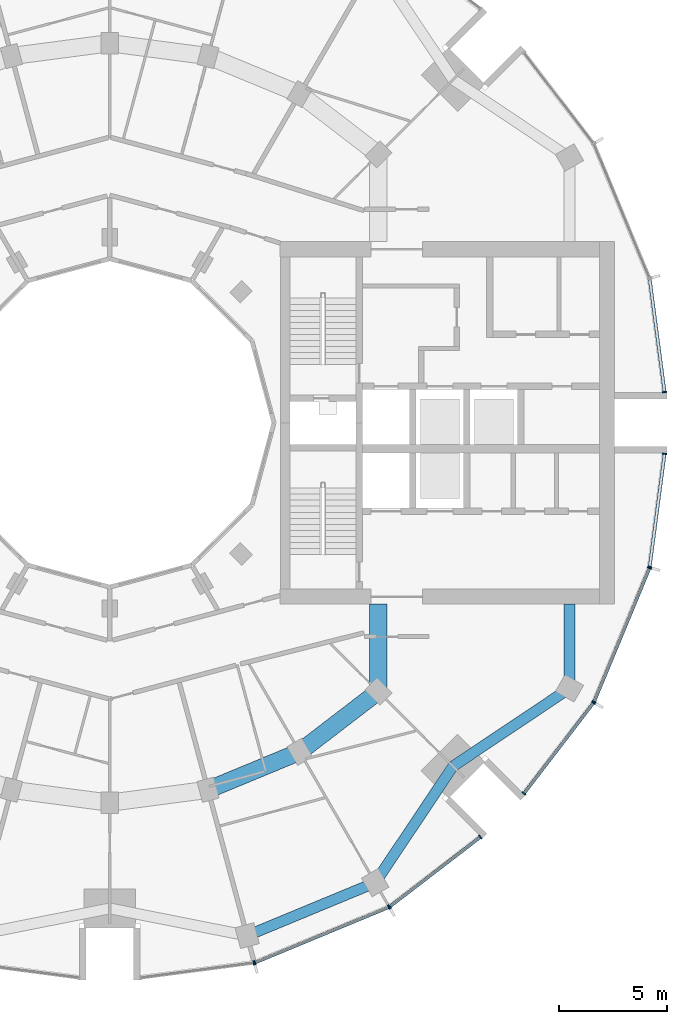
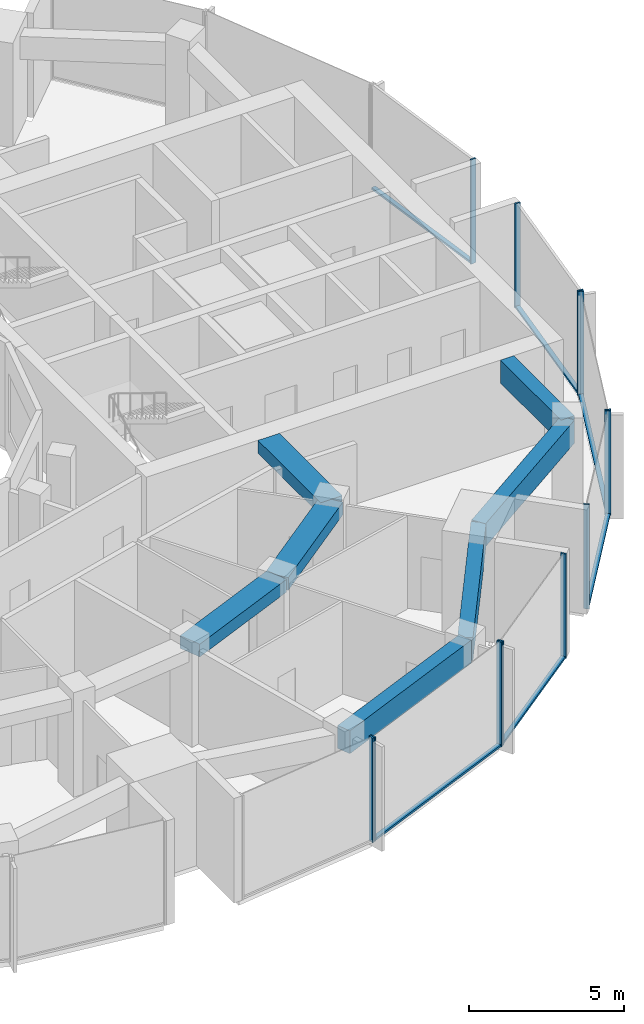
# One storey, part 4 of 15: 18 members, 7 beams, 7 elements without a shape of their own.
"""IFC4 building model written with IfcOpenShell, lengths in metres."""

from ifc_helpers import new_model, si_unit, direction, frame, origin, origin_2d, place, context, subcontext, project, spatial, rectangle, extrude, material, layer, layer_set, material_profile, profile_set, type_object, element, aggregate, save


model = new_model("IFC4")

# Units and contexts
model_context = context("Model", 3, precision=1e-05, world=origin(), true_north=direction((0.0, 1.0)))
body_context = subcontext(model_context, "Body", "Model", "MODEL_VIEW")
ifc_project = project(units=[si_unit("LENGTHUNIT", "METRE"), si_unit("AREAUNIT", "SQUARE_METRE"), si_unit("VOLUMEUNIT", "CUBIC_METRE"), si_unit("PLANEANGLEUNIT", "RADIAN"), si_unit("MASSUNIT", "GRAM", prefix="KILO")], contexts=[model_context])

# Site, building, storey
site_placement = place(None, origin())
site = spatial("IfcSite", under=ifc_project, at=site_placement, CompositionType="ELEMENT")
building_placement = place(site_placement, origin())
building = spatial("IfcBuilding", under=site, at=building_placement, Name="Torre Brocal", CompositionType="ELEMENT")
storey_placement = place(building_placement, frame((0.0, 0.0, 190.5)))
storey = spatial("IfcBuildingStorey", under=building, at=storey_placement, Name="L44", CompositionType="ELEMENT", Elevation=190.5)

# Curtain wall, member
ifc_material_1 = material(Name="Aluminium and glass", Category="aluminium")
ifc_layer_1 = layer(ifc_material_1, 0.199951171875)
ifc_layer_set_1 = layer_set([ifc_layer_1], Name="Aluminium and glass")
curtain_wall_type_1 = type_object("IfcCurtainWallType", Name="CW-1 CURTAIN WALL 4100 HIGH", PredefinedType="NOTDEFINED", material=ifc_layer_set_1)
curtain_wall_1_placement = place(storey_placement, origin())
curtain_wall_1 = element("IfcCurtainWall", 1, at=curtain_wall_1_placement, inside=storey, type_object=curtain_wall_type_1, Name="CW-1 RUN 19", PredefinedType="NOTDEFINED")
ifc_material_2 = material(Name="Aluminium, dark anodised", Category="aluminium")
ifc_material_profile_1 = material_profile(ifc_material_2, rectangle(XDim=0.199951171875, YDim=0.06005859375, at=origin_2d()), Name="CW-1 MULLION 60X200")
ifc_profile_set_1 = profile_set([ifc_material_profile_1], Name="Aluminium, dark anodised")
member_type_1 = type_object("IfcMemberType", Name="CW-1 MULLION 60X200", PredefinedType="MULLION", material=ifc_profile_set_1)
member_1_placement = place(storey_placement, frame((86.67333984375, 49.9794921875, 0.0), z_axis=(0.0, 0.0, 1.0), x_axis=(-0.13052619222, 0.991444861374, 0.0)))
member_1 = element("IfcMember", 2, at=member_1_placement, type_object=member_type_1, Name="CW1-4 mullion 2", PredefinedType="MULLION", context=body_context, shape_type="SweptSolid", body=[
    extrude(rectangle(XDim=0.199951171875, YDim=0.06005859375, at=origin_2d()), origin(), (0.0, 0.0, 1.0), 4.10009765625),
])
aggregate(curtain_wall_1, [member_1])

# Curtain wall, members
curtain_wall_2_placement = place(storey_placement, origin())
curtain_wall_2 = element("IfcCurtainWall", 3, at=curtain_wall_2_placement, inside=storey, type_object=curtain_wall_type_1, Name="CW-1 RUN 20", PredefinedType="NOTDEFINED")
member_2_placement = place(storey_placement, frame((86.73095703125, 49.994873046875, 0.0), z_axis=(0.0, 0.0, 1.0), x_axis=(-0.382683432333, 0.923879532525, 0.0)))
member_2 = element("IfcMember", 4, at=member_2_placement, type_object=member_type_1, Name="CW1-4 mullion 1", PredefinedType="MULLION", context=body_context, shape_type="SweptSolid", body=[
    extrude(rectangle(XDim=0.199951171875, YDim=0.06005859375, at=origin_2d()), origin(), (0.0, 0.0, 1.0), 4.10009765625),
])
member_3_placement = place(storey_placement, frame((92.921875, 52.559326171875, 0.0), z_axis=(0.0, 0.0, 1.0), x_axis=(-0.382683432333, 0.923879532525, 0.0)))
member_3 = element("IfcMember", 5, at=member_3_placement, type_object=member_type_1, Name="CW1-4 mullion 2", PredefinedType="MULLION", context=body_context, shape_type="SweptSolid", body=[
    extrude(rectangle(XDim=0.199951171875, YDim=0.06005859375, at=origin_2d()), origin(), (0.0, 0.0, 1.0), 4.10009765625),
])

curtain_wall_3_placement = place(storey_placement, origin())
curtain_wall_3 = element("IfcCurtainWall", 6, at=curtain_wall_3_placement, inside=storey, type_object=curtain_wall_type_1, Name="CW-1 RUN 21", PredefinedType="NOTDEFINED")
member_4_placement = place(storey_placement, frame((92.973388671875, 52.5888671875, 0.0), z_axis=(0.0, 0.0, 1.0), x_axis=(-0.60876142905, 0.793353340259, 0.0)))
member_4 = element("IfcMember", 7, at=member_4_placement, type_object=member_type_1, Name="CW1-4 mullion 1", PredefinedType="MULLION", context=body_context, shape_type="SweptSolid", body=[
    extrude(rectangle(XDim=0.199951171875, YDim=0.06005859375, at=origin_2d()), origin(), (0.0, 0.0, 1.0), 4.10009765625),
])
member_5_placement = place(storey_placement, frame((97.16943359375, 55.80859375, 0.0), z_axis=(0.0, 0.0, 1.0), x_axis=(-0.60876142905, 0.793353340259, 0.0)))
member_5 = element("IfcMember", 8, at=member_5_placement, type_object=member_type_1, Name="CW1-4 mullion 2", PredefinedType="MULLION", context=body_context, shape_type="SweptSolid", body=[
    extrude(rectangle(XDim=0.199951171875, YDim=0.06005859375, at=origin_2d()), origin(), (0.0, 0.0, 1.0), 4.10009765625),
])

curtain_wall_4_placement = place(storey_placement, origin())
curtain_wall_4 = element("IfcCurtainWall", 9, at=curtain_wall_4_placement, inside=storey, type_object=curtain_wall_type_1, Name="CW-1 RUN 22", PredefinedType="NOTDEFINED")
member_6_placement = place(storey_placement, frame((99.19140625, 57.83056640625, 0.0), z_axis=(0.0, 0.0, 1.0), x_axis=(-0.793353340259, 0.60876142905, 0.0)))
member_6 = element("IfcMember", 10, at=member_6_placement, type_object=member_type_1, Name="CW1-4 mullion 1", PredefinedType="MULLION", context=body_context, shape_type="SweptSolid", body=[
    extrude(rectangle(XDim=0.199951171875, YDim=0.06005859375, at=origin_2d()), origin(), (0.0, 0.0, 1.0), 4.10009765625),
])
member_7_placement = place(storey_placement, frame((102.4111328125, 62.026611328125, 0.0), z_axis=(0.0, 0.0, 1.0), x_axis=(-0.793353340259, 0.60876142905, 0.0)))
member_7 = element("IfcMember", 11, at=member_7_placement, type_object=member_type_1, Name="CW1-4 mullion 2", PredefinedType="MULLION", context=body_context, shape_type="SweptSolid", body=[
    extrude(rectangle(XDim=0.199951171875, YDim=0.06005859375, at=origin_2d()), origin(), (0.0, 0.0, 1.0), 4.10009765625),
])

curtain_wall_5_placement = place(storey_placement, origin())
curtain_wall_5 = element("IfcCurtainWall", 12, at=curtain_wall_5_placement, inside=storey, type_object=curtain_wall_type_1, Name="CW-1 RUN 23", PredefinedType="NOTDEFINED")
member_8_placement = place(storey_placement, frame((102.440673828125, 62.078125, 0.0), z_axis=(0.0, 0.0, 1.0), x_axis=(-0.923879532525, 0.382683432333, 0.0)))
member_8 = element("IfcMember", 13, at=member_8_placement, type_object=member_type_1, Name="CW1-4 mullion 1", PredefinedType="MULLION", context=body_context, shape_type="SweptSolid", body=[
    extrude(rectangle(XDim=0.199951171875, YDim=0.06005859375, at=origin_2d()), origin(), (0.0, 0.0, 1.0), 4.10009765625),
])
member_9_placement = place(storey_placement, frame((105.005126953125, 68.26904296875, 0.0), z_axis=(0.0, 0.0, 1.0), x_axis=(-0.923879532525, 0.382683432333, 0.0)))
member_9 = element("IfcMember", 14, at=member_9_placement, type_object=member_type_1, Name="CW1-4 mullion 2", PredefinedType="MULLION", context=body_context, shape_type="SweptSolid", body=[
    extrude(rectangle(XDim=0.199951171875, YDim=0.06005859375, at=origin_2d()), origin(), (0.0, 0.0, 1.0), 4.10009765625),
])

# Member
ifc_material_3 = material(Name="Aluminium, dark anodised", Category="aluminium")
ifc_material_profile_2 = material_profile(ifc_material_3, rectangle(XDim=0.159912109375, YDim=0.080078125, at=origin_2d()), Name="CW-1 TRANSOM 160X80")
ifc_profile_set_2 = profile_set([ifc_material_profile_2], Name="Aluminium, dark anodised")
member_type_2 = type_object("IfcMemberType", Name="CW-1 TRANSOM 160X80", PredefinedType="USERDEFINED", material=ifc_profile_set_2)
member_10_placement = place(storey_placement, frame((86.758544921875, 50.00634765625, 0.0400390625), z_axis=(0.923887344364, 0.38266457234, 0.0), x_axis=(-0.38266457234, 0.923887344364, 0.0)))
member_10 = element("IfcMember", 15, at=member_10_placement, type_object=member_type_2, Name="CW1-4 transom 1.1", ObjectType="TRANSOM", PredefinedType="USERDEFINED", context=body_context, shape_type="SweptSolid", body=[
    extrude(rectangle(XDim=0.159912109375, YDim=0.080078125, at=origin_2d()), origin(), (0.0, 0.0, 1.0), 6.640869140625),
])

aggregate(curtain_wall_2, [member_2, member_3, member_10])

member_11_placement = place(storey_placement, frame((92.9970703125, 52.607177734375, 0.0400390625), z_axis=(0.79336281513, 0.60874908096, 0.0), x_axis=(-0.60874908096, 0.79336281513, 0.0)))
member_11 = element("IfcMember", 16, at=member_11_placement, type_object=member_type_2, Name="CW1-4 transom 1.1", ObjectType="TRANSOM", PredefinedType="USERDEFINED", context=body_context, shape_type="SweptSolid", body=[
    extrude(rectangle(XDim=0.159912109375, YDim=0.080078125, at=origin_2d()), origin(), (0.0, 0.0, 1.0), 5.22900390625),
])

aggregate(curtain_wall_3, [member_4, member_5, member_11])

member_12_placement = place(storey_placement, frame((99.209716796875, 57.8544921875, 0.0400390625), z_axis=(0.60874908096, 0.79336281513, 0.0), x_axis=(-0.79336281513, 0.60874908096, 0.0)))
member_12 = element("IfcMember", 17, at=member_12_placement, type_object=member_type_2, Name="CW1-4 transom 1.1", ObjectType="TRANSOM", PredefinedType="USERDEFINED", context=body_context, shape_type="SweptSolid", body=[
    extrude(rectangle(XDim=0.159912109375, YDim=0.080078125, at=origin_2d()), origin(), (0.0, 0.0, 1.0), 5.22900390625),
])

aggregate(curtain_wall_4, [member_6, member_7, member_12])

member_13_placement = place(storey_placement, frame((102.452392578125, 62.10595703125, 0.0400390625), z_axis=(0.38266457234, 0.923887344364, 0.0), x_axis=(-0.923887344364, 0.38266457234, 0.0)))
member_13 = element("IfcMember", 18, at=member_13_placement, type_object=member_type_2, Name="CW1-4 transom 1.1", ObjectType="TRANSOM", PredefinedType="USERDEFINED", context=body_context, shape_type="SweptSolid", body=[
    extrude(rectangle(XDim=0.159912109375, YDim=0.080078125, at=origin_2d()), origin(), (0.0, 0.0, 1.0), 6.640869140625),
])

aggregate(curtain_wall_5, [member_8, member_9, member_13])

# Curtain wall, member
ifc_material_4 = material(Name="Aluminium and glass", Category="aluminium")
ifc_layer_2 = layer(ifc_material_4, 0.199951171875)
ifc_layer_set_2 = layer_set([ifc_layer_2], Name="Aluminium and glass")
curtain_wall_type_2 = type_object("IfcCurtainWallType", Name="CW-1B CURTAIN WALL 4100 HIGH", PredefinedType="NOTDEFINED", material=ifc_layer_set_2)
curtain_wall_6_placement = place(storey_placement, origin())
curtain_wall_6 = element("IfcCurtainWall", 19, at=curtain_wall_6_placement, inside=storey, type_object=curtain_wall_type_2, Name="CW-1B RUN 1", PredefinedType="NOTDEFINED")
ifc_material_5 = material(Name="Aluminium, dark anodised", Category="aluminium")
ifc_material_profile_3 = material_profile(ifc_material_5, rectangle(XDim=0.199951171875, YDim=0.06005859375, at=origin_2d()), Name="CW-1B MULLION 60X200")
ifc_profile_set_3 = profile_set([ifc_material_profile_3], Name="Aluminium, dark anodised")
member_type_3 = type_object("IfcMemberType", Name="CW-1B MULLION 60X200", PredefinedType="MULLION", material=ifc_profile_set_3)
member_14_placement = place(storey_placement, frame((105.7109375, 76.4296875, 0.0), z_axis=(0.0, 0.0, 1.0), x_axis=(-0.991444861374, -0.13052619222, 0.0)))
member_14 = element("IfcMember", 20, at=member_14_placement, type_object=member_type_3, Name="CW1B-4 mullion 1", PredefinedType="MULLION", context=body_context, shape_type="SweptSolid", body=[
    extrude(rectangle(XDim=0.199951171875, YDim=0.06005859375, at=origin_2d()), origin(), (0.0, 0.0, 1.0), 4.10009765625),
])

# Curtain wall, members
curtain_wall_7_placement = place(storey_placement, origin())
curtain_wall_7 = element("IfcCurtainWall", 21, at=curtain_wall_7_placement, inside=storey, type_object=curtain_wall_type_2, Name="CW-1B RUN 24", PredefinedType="NOTDEFINED")
member_15_placement = place(storey_placement, frame((105.0205078125, 68.32666015625, 0.0), z_axis=(0.0, 0.0, 1.0), x_axis=(-0.991444861374, 0.13052619222, 0.0)))
member_15 = element("IfcMember", 22, at=member_15_placement, type_object=member_type_3, Name="CW1B-4 mullion 1", PredefinedType="MULLION", context=body_context, shape_type="SweptSolid", body=[
    extrude(rectangle(XDim=0.199951171875, YDim=0.06005859375, at=origin_2d()), origin(), (0.0, 0.0, 1.0), 4.10009765625),
])
member_16_placement = place(storey_placement, frame((105.7109375, 73.5703125, 0.0), z_axis=(0.0, 0.0, 1.0), x_axis=(-0.991444861374, 0.13052619222, 0.0)))
member_16 = element("IfcMember", 23, at=member_16_placement, type_object=member_type_3, Name="CW1B-4 mullion 2", PredefinedType="MULLION", context=body_context, shape_type="SweptSolid", body=[
    extrude(rectangle(XDim=0.199951171875, YDim=0.06005859375, at=origin_2d()), origin(), (0.0, 0.0, 1.0), 4.10009765625),
])

# Member
ifc_material_6 = material(Name="Aluminium, dark anodised", Category="aluminium")
ifc_material_profile_4 = material_profile(ifc_material_6, rectangle(XDim=0.159912109375, YDim=0.080078125, at=origin_2d()), Name="CW-1B TRANSOM 160X80")
ifc_profile_set_4 = profile_set([ifc_material_profile_4], Name="Aluminium, dark anodised")
member_type_4 = type_object("IfcMemberType", Name="CW-1B TRANSOM 160X80", PredefinedType="USERDEFINED", material=ifc_profile_set_4)
member_17_placement = place(storey_placement, frame((105.70703125, 76.45947265625, 0.0400390625), z_axis=(-0.130542677827, 0.991442690863, 0.0), x_axis=(-0.991442690863, -0.130542677827, 0.0)))
member_17 = element("IfcMember", 24, at=member_17_placement, type_object=member_type_4, Name="CW1B-4 transom 1.1", ObjectType="TRANSOM", PredefinedType="USERDEFINED", context=body_context, shape_type="SweptSolid", body=[
    extrude(rectangle(XDim=0.159912109375, YDim=0.080078125, at=origin_2d()), origin(), (0.0, 0.0, 1.0), 5.22900390625),
])

aggregate(curtain_wall_6, [member_14, member_17])

member_18_placement = place(storey_placement, frame((105.0244140625, 68.356201171875, 0.0400390625), z_axis=(0.130542677827, 0.991442690863, 0.0), x_axis=(-0.991442690863, 0.130542677827, 0.0)))
member_18 = element("IfcMember", 25, at=member_18_placement, type_object=member_type_4, Name="CW1B-4 transom 1.1", ObjectType="TRANSOM", PredefinedType="USERDEFINED", context=body_context, shape_type="SweptSolid", body=[
    extrude(rectangle(XDim=0.159912109375, YDim=0.080078125, at=origin_2d()), origin(), (0.0, 0.0, 1.0), 5.22900390625),
])

aggregate(curtain_wall_7, [member_15, member_16, member_18])

# Beams
ifc_material_7 = material(Name="Concrete C50", Category="concrete")
ifc_material_profile_5 = material_profile(ifc_material_7, rectangle(XDim=0.800048828125, YDim=0.5, at=origin_2d()), Name="RC 800X500")
ifc_profile_set_5 = profile_set([ifc_material_profile_5], Name="Concrete C50")
beam_type_1 = type_object("IfcBeamType", Name="RC BEAM 800X500 C50 TOP 3780", PredefinedType="BEAM", material=ifc_profile_set_5)
beam_1_placement = place(storey_placement, frame((84.55517578125, 57.999755859375, 3.530029296875), z_axis=(0.923878240166, 0.382686552348, 0.0), x_axis=(-0.382686552348, 0.923878240166, 0.0)))
element("IfcBeam", 26, at=beam_1_placement, inside=storey, type_object=beam_type_1, Name="Beam BT-32", PredefinedType="BEAM", context=body_context, shape_type="SweptSolid", body=[
    extrude(rectangle(XDim=0.800048828125, YDim=0.5, at=origin_2d()), origin(), (0.0, 0.0, 1.0), 4.5947265625),
])
beam_2_placement = place(storey_placement, frame((88.800048828125, 59.758056640625, 3.530029296875), z_axis=(0.793358265959, 0.6087550097, 0.0), x_axis=(-0.6087550097, 0.793358265959, 0.0)))
element("IfcBeam", 27, at=beam_2_placement, inside=storey, type_object=beam_type_1, Name="Beam BT-32", PredefinedType="BEAM", context=body_context, shape_type="SweptSolid", body=[
    extrude(rectangle(XDim=0.800048828125, YDim=0.5, at=origin_2d()), origin(), (0.0, 0.0, 1.0), 4.594482421875),
])
beam_3_placement = place(storey_placement, frame((92.445068359375, 62.554931640625, 3.530029296875), z_axis=(0.0, 1.0, 0.0), x_axis=(-1.0, 0.0, 0.0)))
element("IfcBeam", 28, at=beam_3_placement, inside=storey, type_object=beam_type_1, Name="Beam BT-32", PredefinedType="BEAM", context=body_context, shape_type="SweptSolid", body=[
    extrude(rectangle(XDim=0.800048828125, YDim=0.5, at=origin_2d()), origin(), (0.0, 0.0, 1.0), 4.045166015625),
])
ifc_material_8 = material(Name="Concrete C50", Category="concrete")
ifc_material_profile_6 = material_profile(ifc_material_8, rectangle(XDim=0.5, YDim=0.89990234375, at=origin_2d()), Name="RC 500X900")
ifc_profile_set_6 = profile_set([ifc_material_profile_6], Name="Concrete C50")
beam_type_2 = type_object("IfcBeamType", Name="RC SPANDREL BEAM 500X900 C50 TOP 3780", PredefinedType="SPANDREL", material=ifc_profile_set_6)
beam_4_placement = place(storey_placement, frame((86.366943359375, 51.23828125, 3.330078125), z_axis=(0.923882462513, 0.382676358639, 0.0), x_axis=(-0.382676358639, 0.923882462513, 0.0)))
element("IfcBeam", 29, at=beam_4_placement, inside=storey, type_object=beam_type_2, Name="Beam BT-33", PredefinedType="SPANDREL", context=body_context, shape_type="SweptSolid", body=[
    extrude(rectangle(XDim=0.5, YDim=0.89990234375, at=origin_2d()), origin(), (0.0, 0.0, 1.0), 6.421875),
])
for number, where, z_axis, x_axis, name in (
    (30, (92.300048828125, 53.69580078125, 3.330078125), (0.556157602282, 0.831076844476, 0.0), (-0.831076844476, 0.556157602282, 0.0), "Beam BT-33"),
    (31, (95.909912109375, 59.090087890625, 3.330078125), (0.831076844476, 0.556157602282, 0.0), (-0.556157602282, 0.831076844476, 0.0), "Beam BT-33"),
):
    element("IfcBeam", number, at=place(storey_placement, frame(where, z_axis=z_axis, x_axis=x_axis)), inside=storey, type_object=beam_type_2, Name=name, PredefinedType="SPANDREL", context=body_context, shape_type="SweptSolid", body=[
        extrude(rectangle(XDim=0.5, YDim=0.89990234375, at=origin_2d()), origin(), (0.0, 0.0, 1.0), 6.49072265625),
    ])
beam_5_placement = place(storey_placement, frame((101.30419921875, 62.699951171875, 3.330078125), z_axis=(0.0, 1.0, 0.0), x_axis=(-1.0, 0.0, 0.0)))
element("IfcBeam", 32, at=beam_5_placement, inside=storey, type_object=beam_type_2, Name="Beam BT-33", PredefinedType="SPANDREL", context=body_context, shape_type="SweptSolid", body=[
    extrude(rectangle(XDim=0.5, YDim=0.89990234375, at=origin_2d()), origin(), (0.0, 0.0, 1.0), 3.900146484375),
])

save(model, "model.ifc")
